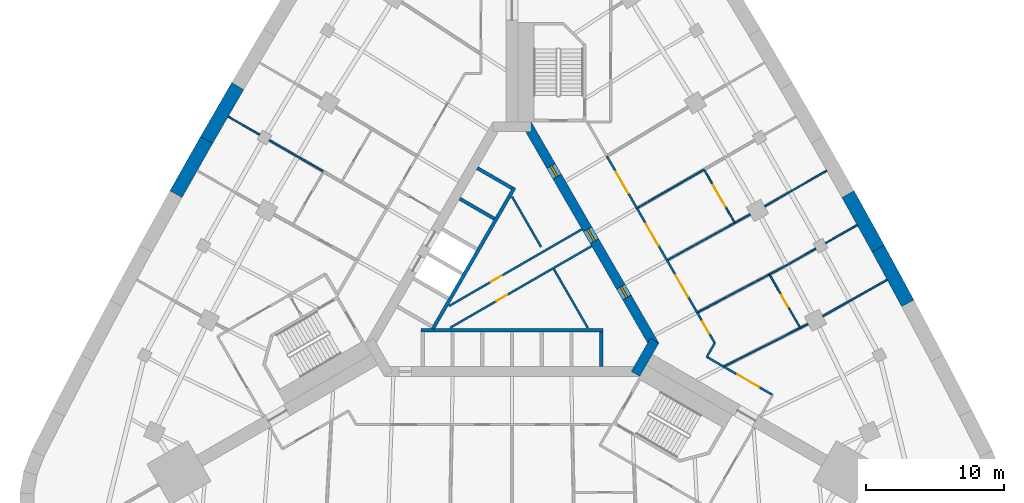
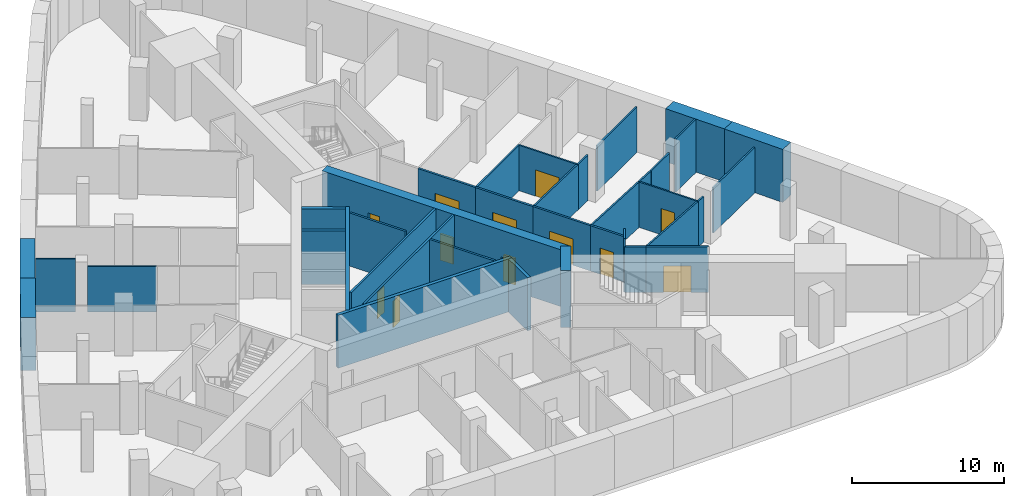
# One storey, part 6 of 9: 37 walls, 12 doors, 12 openings.
"""IFC4 building model written with IfcOpenShell, lengths in metres."""

from ifc_helpers import new_model, si_unit, direction, frame, frame_2d, origin, place, context, subcontext, project, spatial, polyline, rectangle, outline, extrude, material, layer, layer_set, type_object, element, fill, save


model = new_model("IFC4")

# Units and contexts
model_context = context("Model", 3, precision=1e-05, world=origin(), true_north=direction((0.0, 1.0)))
body_context = subcontext(model_context, "Body", "Model", "MODEL_VIEW")
ifc_project = project(units=[si_unit("LENGTHUNIT", "METRE"), si_unit("AREAUNIT", "SQUARE_METRE"), si_unit("VOLUMEUNIT", "CUBIC_METRE"), si_unit("PLANEANGLEUNIT", "RADIAN"), si_unit("MASSUNIT", "GRAM", prefix="KILO")], contexts=[model_context])

# Site, building, storey
site_placement = place(None, origin())
site = spatial("IfcSite", under=ifc_project, at=site_placement, CompositionType="ELEMENT")
building_placement = place(site_placement, origin())
building = spatial("IfcBuilding", under=site, at=building_placement, Name="Noor Cloister Tower", CompositionType="ELEMENT")
storey_placement = place(building_placement, frame((0.0, 0.0, -4.5)))
storey = spatial("IfcBuildingStorey", under=building, at=storey_placement, Name="B1", CompositionType="ELEMENT", Elevation=-4.5)

# Wall, opening, door
ifc_material_1 = material(Name="Concrete C30/37", Category="concrete")
ifc_layer_1 = layer(ifc_material_1, 0.14990234375)
ifc_layer_set_1 = layer_set([ifc_layer_1], Name="Core partition 150 C30/37")
wall_type_1 = type_object("IfcWallType", Name="Core partition 150 C30/37", PredefinedType="PARTITIONING", material=ifc_layer_set_1)
wall_1_placement = place(storey_placement, frame((-4.547607421875, -1.8505859375, 0.0), z_axis=(0.0, 0.0, 1.0), x_axis=(0.866023939251, 0.500002536638, 0.0)))
wall_1 = element("IfcWall", 1, at=wall_1_placement, inside=storey, type_object=wall_type_1, Name="Core room partition B1 1", PredefinedType="PARTITIONING", context=body_context, shape_type="SweptSolid", body=[
    extrude(rectangle(XDim=11.091796875, YDim=0.14990234375, at=frame_2d((5.5458984375, 0.0))), origin(), (0.0, 0.0, 1.0), 4.25),
])
opening_1_placement = place(wall_1_placement, frame((3.4970703125, 0.0, 0.0)))
opening_1 = element("IfcOpeningElement", 2, at=opening_1_placement, cuts=wall_1, Name="Opening B1-906", PredefinedType="OPENING", context=body_context, shape_type="SweptSolid", body=[
    extrude(rectangle(XDim=0.89990234375, YDim=2.10009765625, at=frame_2d((0.449951171875, 1.050048828125))), frame((0.0, 0.0849609375, 0.0), z_axis=(0.0, -1.0, 0.0), x_axis=(1.0, 0.0, 0.0)), (0.0, 0.0, 1.0), 0.169921875),
])
ifc_material_2 = material(Name="Steel", Category="steel")
door_type_1 = type_object("IfcDoorType", Name="Core door 900 x 2100 FD60", OperationType="SINGLE_SWING_LEFT", PredefinedType="DOOR", material=ifc_material_2)
door_1_placement = place(opening_1_placement, origin())
door_1 = element("IfcDoor", 3, at=door_1_placement, inside=storey, type_object=door_type_1, Name="Core door 6 B1", OperationType="SINGLE_SWING_RIGHT", OverallHeight=2.10009765625, OverallWidth=0.89990234375, PredefinedType="DOOR", context=body_context, shape_type="SweptSolid", body=[
    extrude(rectangle(XDim=0.89990234375, YDim=2.10009765625, at=frame_2d((0.449951171875, 1.050048828125))), frame((0.0, 0.02490234375, 0.0), z_axis=(0.0, -1.0, 0.0), x_axis=(1.0, 0.0, 0.0)), (0.0, 0.0, 1.0), 0.050048828125),
])
fill(opening_1, door_1)

# Wall
wall_2_placement = place(storey_placement, frame((2.099365234375, 2.420166015625, 0.0), z_axis=(0.0, 0.0, 1.0), x_axis=(-0.499998449073, 0.866026299211, 0.0)))
element("IfcWall", 4, at=wall_2_placement, inside=storey, type_object=wall_type_1, Name="Core room partition B1 2", PredefinedType="PARTITIONING", context=body_context, shape_type="SweptSolid", body=[
    extrude(rectangle(XDim=4.21142578125, YDim=0.14990234375, at=frame_2d((2.105712890625, 0.0))), origin(), (0.0, 0.0, 1.0), 4.25),
])

# Wall, opening, door
wall_3_placement = place(storey_placement, frame((-4.454345703125, -3.4130859375, 0.0), z_axis=(0.0, 0.0, 1.0), x_axis=(0.86603043987, 0.499991277142, 0.0)))
wall_3 = element("IfcWall", 5, at=wall_3_placement, inside=storey, type_object=wall_type_1, Name="Core room partition B1 3", PredefinedType="PARTITIONING", context=body_context, shape_type="SweptSolid", body=[
    extrude(rectangle(XDim=11.792236328125, YDim=0.14990234375, at=frame_2d((5.89599609375, 0.0))), origin(), (0.0, 0.0, 1.0), 4.25),
])
opening_2_placement = place(wall_3_placement, frame((3.84716796875, 0.0, 0.0)))
opening_2 = element("IfcOpeningElement", 6, at=opening_2_placement, cuts=wall_3, Name="Opening B1-904", PredefinedType="OPENING", context=body_context, shape_type="SweptSolid", body=[
    extrude(rectangle(XDim=0.89990234375, YDim=2.10009765625, at=frame_2d((0.449951171875, 1.050048828125))), frame((0.0, 0.0849609375, 0.0), z_axis=(0.0, -1.0, 0.0), x_axis=(1.0, 0.0, 0.0)), (0.0, 0.0, 1.0), 0.169921875),
])
ifc_material_3 = material(Name="Steel", Category="steel")
door_type_2 = type_object("IfcDoorType", Name="Core door 900 x 2100 FD120", OperationType="SINGLE_SWING_LEFT", PredefinedType="DOOR", material=ifc_material_3)
door_2_placement = place(opening_2_placement, origin())
door_2 = element("IfcDoor", 7, at=door_2_placement, inside=storey, type_object=door_type_2, Name="Core door 4 B1", OperationType="SINGLE_SWING_RIGHT", OverallHeight=2.10009765625, OverallWidth=0.89990234375, PredefinedType="DOOR", context=body_context, shape_type="SweptSolid", body=[
    extrude(rectangle(XDim=0.89990234375, YDim=2.10009765625, at=frame_2d((0.449951171875, 1.050048828125))), frame((0.0, 0.02490234375, 0.0), z_axis=(0.0, -1.0, 0.0), x_axis=(1.0, 0.0, 0.0)), (0.0, 0.0, 1.0), 0.050048828125),
])
fill(opening_2, door_2)

# Walls
wall_4_placement = place(storey_placement, frame((5.482421875, -3.439208984375, 0.0), z_axis=(0.0, 0.0, 1.0), x_axis=(-0.500006183238, 0.866021833861, 0.0)))
element("IfcWall", 8, at=wall_4_placement, inside=storey, type_object=wall_type_1, Name="Core room partition B1 4", PredefinedType="PARTITIONING", context=body_context, shape_type="SweptSolid", body=[
    extrude(rectangle(XDim=4.916015625, YDim=0.14990234375, at=frame_2d((2.4580078125, 0.0))), origin(), (0.0, 0.0, 1.0), 4.25),
])
ifc_material_4 = material(Name="Concrete C80/95", Category="concrete")
ifc_layer_2 = layer(ifc_material_4, 0.699951171875)
ifc_layer_set_2 = layer_set([ifc_layer_2], Name="Core wall 700 C80/95")
wall_type_2 = type_object("IfcWallType", Name="Core wall 700 C80/95", PredefinedType="SHEAR", material=ifc_layer_set_2)
wall_5_placement = place(storey_placement, frame((8.925537109375, -6.753173828125, -0.300048828125), z_axis=(0.0, 0.0, 1.0), x_axis=(0.500042739161, 0.866000726912, 0.0)))
element("IfcWall", 9, at=wall_5_placement, inside=storey, type_object=wall_type_2, Name="Core wall B1 2", PredefinedType="SHEAR", context=body_context, shape_type="SweptSolid", body=[
    extrude(rectangle(XDim=2.771240234375, YDim=0.699951171875, at=frame_2d((1.3857421875, 0.0))), origin(), (0.0, 0.0, 1.0), 4.550048828125),
])

# Wall, openings, doors
wall_6_placement = place(storey_placement, frame((10.311279296875, -4.703125, -0.300048828125), z_axis=(0.0, 0.0, 1.0), x_axis=(-0.500001446645, 0.866024568562, 0.0)))
wall_6 = element("IfcWall", 10, at=wall_6_placement, inside=storey, type_object=wall_type_2, Name="Core wall B1 3", PredefinedType="SHEAR", context=body_context, shape_type="SweptSolid", body=[
    extrude(rectangle(XDim=18.45751953125, YDim=0.699951171875, at=frame_2d((9.228759765625, 0.0))), origin(), (0.0, 0.0, 1.0), 4.550048828125),
])
opening_3_placement = place(wall_6_placement, frame((8.699951171875, 0.0, 0.300048828125)))
opening_3 = element("IfcOpeningElement", 11, at=opening_3_placement, cuts=wall_6, Name="Opening B1-901", PredefinedType="OPENING", context=body_context, shape_type="SweptSolid", body=[
    extrude(rectangle(XDim=1.0, YDim=2.10009765625, at=frame_2d((0.5, 1.050048828125))), frame((0.0, 0.35986328125, 0.0), z_axis=(0.0, -1.0, 0.0), x_axis=(1.0, 0.0, 0.0)), (0.0, 0.0, 1.0), 0.719970703125),
])
opening_4_placement = place(wall_6_placement, frame((4.001953125, 0.0, 0.300048828125)))
opening_4 = element("IfcOpeningElement", 12, at=opening_4_placement, cuts=wall_6, Name="Opening B1-902", PredefinedType="OPENING", context=body_context, shape_type="SweptSolid", body=[
    extrude(rectangle(XDim=0.89990234375, YDim=2.10009765625, at=frame_2d((0.449951171875, 1.050048828125))), frame((0.0, 0.35986328125, 0.0), z_axis=(0.0, -1.0, 0.0), x_axis=(1.0, 0.0, 0.0)), (0.0, 0.0, 1.0), 0.719970703125),
])
opening_5_placement = place(wall_6_placement, frame((14.093017578125, 0.0, 0.300048828125)))
opening_5 = element("IfcOpeningElement", 13, at=opening_5_placement, cuts=wall_6, Name="Opening B1-903", PredefinedType="OPENING", context=body_context, shape_type="SweptSolid", body=[
    extrude(rectangle(XDim=0.89990234375, YDim=2.10009765625, at=frame_2d((0.449951171875, 1.050048828125))), frame((0.0, 0.35986328125, 0.0), z_axis=(0.0, -1.0, 0.0), x_axis=(1.0, 0.0, 0.0)), (0.0, 0.0, 1.0), 0.719970703125),
])
ifc_material_5 = material(Name="Steel", Category="steel")
door_type_3 = type_object("IfcDoorType", Name="Core door 1000 x 2100 FD120", OperationType="SINGLE_SWING_LEFT", PredefinedType="DOOR", material=ifc_material_5)
door_3_placement = place(opening_3_placement, origin())
door_3 = element("IfcDoor", 14, at=door_3_placement, inside=storey, type_object=door_type_3, Name="Core door 1 B1", OperationType="SINGLE_SWING_LEFT", OverallHeight=2.10009765625, OverallWidth=1.0, PredefinedType="DOOR", context=body_context, shape_type="SweptSolid", body=[
    extrude(rectangle(XDim=1.0, YDim=2.10009765625, at=frame_2d((0.5, 1.050048828125))), frame((0.0, 0.074951171875, 0.0), z_axis=(0.0, -1.0, 0.0), x_axis=(1.0, 0.0, 0.0)), (0.0, 0.0, 1.0), 0.14990234375),
])
fill(opening_3, door_3)
door_4_placement = place(opening_4_placement, origin())
door_4 = element("IfcDoor", 15, at=door_4_placement, inside=storey, type_object=door_type_2, Name="Core door 2 B1", OperationType="SINGLE_SWING_RIGHT", OverallHeight=2.10009765625, OverallWidth=0.89990234375, PredefinedType="DOOR", context=body_context, shape_type="SweptSolid", body=[
    extrude(rectangle(XDim=0.89990234375, YDim=2.10009765625, at=frame_2d((0.449951171875, 1.050048828125))), frame((0.0, 0.074951171875, 0.0), z_axis=(0.0, -1.0, 0.0), x_axis=(1.0, 0.0, 0.0)), (0.0, 0.0, 1.0), 0.14990234375),
])
fill(opening_4, door_4)
door_5_placement = place(opening_5_placement, origin())
door_5 = element("IfcDoor", 16, at=door_5_placement, inside=storey, type_object=door_type_2, Name="Core door 3 B1", OperationType="SINGLE_SWING_LEFT", OverallHeight=2.10009765625, OverallWidth=0.89990234375, PredefinedType="DOOR", context=body_context, shape_type="SweptSolid", body=[
    extrude(rectangle(XDim=0.89990234375, YDim=2.10009765625, at=frame_2d((0.449951171875, 1.050048828125))), frame((0.0, 0.074951171875, 0.0), z_axis=(0.0, -1.0, 0.0), x_axis=(1.0, 0.0, 0.0)), (0.0, 0.0, 1.0), 0.14990234375),
])
fill(opening_5, door_5)

# Wall, opening, door
ifc_material_6 = material(Name="Plasterboard on steel studs", Category="steel")
ifc_layer_3 = layer(ifc_material_6, 0.14990234375)
ifc_layer_set_3 = layer_set([ifc_layer_3], Name="Corridor wall 150")
wall_type_3 = type_object("IfcWallType", Name="Corridor wall 150", PredefinedType="PARTITIONING", material=ifc_layer_set_3)
wall_7_placement = place(storey_placement, frame((15.294921875, -6.23193359375, 0.0), z_axis=(0.0, 0.0, 1.0), x_axis=(0.865991915229, -0.500057999394, 0.0)))
wall_7 = element("IfcWall", 17, at=wall_7_placement, inside=storey, type_object=wall_type_3, Name="Partition", PredefinedType="PARTITIONING", context=body_context, shape_type="SweptSolid", body=[
    extrude(rectangle(XDim=4.09375, YDim=0.14990234375, at=frame_2d((2.046875, 0.0))), origin(), (0.0, 0.0, 1.0), 3.637939453125),
])
opening_6_placement = place(wall_7_placement, frame((1.14990234375, 0.0, 0.0)))
opening_6 = element("IfcOpeningElement", 18, at=opening_6_placement, cuts=wall_7, Name="Opening B1-010", PredefinedType="OPENING", context=body_context, shape_type="SweptSolid", body=[
    extrude(rectangle(XDim=1.800048828125, YDim=2.10009765625, at=frame_2d((0.89990234375, 1.050048828125))), frame((0.0, 0.0849609375, 0.0), z_axis=(0.0, -1.0, 0.0), x_axis=(1.0, 0.0, 0.0)), (0.0, 0.0, 1.0), 0.169921875),
])
ifc_material_7 = material(Name="Timber door leaf", Category="wood")
door_type_4 = type_object("IfcDoorType", Name="Double leaf door 1800", OperationType="DOUBLE_DOOR_SINGLE_SWING", PredefinedType="DOOR", material=ifc_material_7)
door_6_placement = place(opening_6_placement, origin())
door_6 = element("IfcDoor", 19, at=door_6_placement, inside=storey, type_object=door_type_4, Name="Door B1-010", OperationType="DOUBLE_DOOR_SINGLE_SWING", OverallHeight=2.10009765625, OverallWidth=1.800048828125, PredefinedType="DOOR", context=body_context, shape_type="SweptSolid", body=[
    extrude(rectangle(XDim=1.800048828125, YDim=2.10009765625, at=frame_2d((0.89990234375, 1.050048828125))), frame((0.0, 0.02490234375, 0.0), z_axis=(0.0, -1.0, 0.0), x_axis=(1.0, 0.0, 0.0)), (0.0, 0.0, 1.0), 0.050048828125),
])
fill(opening_6, door_6)

wall_8_placement = place(storey_placement, frame((13.382080078125, -2.321044921875, 0.0), z_axis=(0.0, 0.0, 1.0), x_axis=(0.500076401611, -0.8659812888, 0.0)))
wall_8 = element("IfcWall", 20, at=wall_8_placement, inside=storey, type_object=wall_type_3, Name="Partition", PredefinedType="PARTITIONING", context=body_context, shape_type="SweptSolid", body=[
    extrude(rectangle(XDim=2.54736328125, YDim=0.14990234375, at=frame_2d((1.273681640625, 0.0))), origin(), (0.0, 0.0, 1.0), 3.637939453125),
])
opening_7_placement = place(wall_8_placement, frame((0.75, 0.0, 0.0)))
opening_7 = element("IfcOpeningElement", 21, at=opening_7_placement, cuts=wall_8, Name="Opening B1-012", PredefinedType="OPENING", context=body_context, shape_type="SweptSolid", body=[
    extrude(rectangle(XDim=1.0, YDim=2.10009765625, at=frame_2d((0.5, 1.050048828125))), frame((0.0, 0.0849609375, 0.0), z_axis=(0.0, -1.0, 0.0), x_axis=(1.0, 0.0, 0.0)), (0.0, 0.0, 1.0), 0.169921875),
])
ifc_material_8 = material(Name="Timber door leaf", Category="wood")
door_type_5 = type_object("IfcDoorType", Name="Clinic room door 1000", OperationType="SINGLE_SWING_LEFT", PredefinedType="DOOR", material=ifc_material_8)
door_7_placement = place(opening_7_placement, origin())
door_7 = element("IfcDoor", 22, at=door_7_placement, inside=storey, type_object=door_type_5, Name="Door B1-012", OperationType="SINGLE_SWING_LEFT", OverallHeight=2.10009765625, OverallWidth=1.0, PredefinedType="DOOR", context=body_context, shape_type="SweptSolid", body=[
    extrude(rectangle(XDim=1.0, YDim=2.10009765625, at=frame_2d((0.5, 1.050048828125))), frame((0.0, 0.02490234375, 0.0), z_axis=(0.0, -1.0, 0.0), x_axis=(1.0, 0.0, 0.0)), (0.0, 0.0, 1.0), 0.050048828125),
])
fill(opening_7, door_7)

# Walls
wall_9_placement = place(storey_placement, frame((14.656005859375, -4.529052734375, 0.0), z_axis=(0.0, 0.0, 1.0), x_axis=(-0.500502949238, -0.865734831114, 0.0)))
element("IfcWall", 23, at=wall_9_placement, inside=storey, type_object=wall_type_3, Name="Partition", PredefinedType="PARTITIONING", context=body_context, shape_type="SweptSolid", body=[
    extrude(rectangle(XDim=1.155029296875, YDim=0.14990234375, at=frame_2d((0.57763671875, 0.0))), origin(), (0.0, 0.0, 1.0), 4.25),
])
wall_10_placement = place(storey_placement, frame((14.077880859375, -5.529052734375, 0.0), z_axis=(0.0, 0.0, 1.0), x_axis=(0.865984561414, -0.500070734389, 0.0)))
element("IfcWall", 24, at=wall_10_placement, inside=storey, type_object=wall_type_3, Name="Partition", PredefinedType="PARTITIONING", context=body_context, shape_type="SweptSolid", body=[
    extrude(rectangle(XDim=1.415771484375, YDim=0.14990234375, at=frame_2d((0.7080078125, 0.0))), origin(), (0.0, 0.0, 1.0), 3.637939453125),
])

# Wall, opening, door
wall_11_placement = place(storey_placement, frame((11.205078125, 1.449951171875, 0.0), z_axis=(0.0, 0.0, 1.0), x_axis=(0.500058412813, -0.865991676505, 0.0)))
wall_11 = element("IfcWall", 25, at=wall_11_placement, inside=storey, type_object=wall_type_3, Name="Partition", PredefinedType="PARTITIONING", context=body_context, shape_type="SweptSolid", body=[
    extrude(rectangle(XDim=4.361328125, YDim=0.14990234375, at=frame_2d((2.1806640625, 0.0))), origin(), (0.0, 0.0, 1.0), 3.637939453125),
])
opening_8_placement = place(wall_11_placement, frame((1.25, 0.0, 0.0)))
opening_8 = element("IfcOpeningElement", 26, at=opening_8_placement, cuts=wall_11, Name="Opening B1-015", PredefinedType="OPENING", context=body_context, shape_type="SweptSolid", body=[
    extrude(rectangle(XDim=1.800048828125, YDim=2.10009765625, at=frame_2d((0.89990234375, 1.050048828125))), frame((0.0, 0.0849609375, 0.0), z_axis=(0.0, -1.0, 0.0), x_axis=(1.0, 0.0, 0.0)), (0.0, 0.0, 1.0), 0.169921875),
])
door_8_placement = place(opening_8_placement, origin())
door_8 = element("IfcDoor", 27, at=door_8_placement, inside=storey, type_object=door_type_4, Name="Door B1-015", OperationType="DOUBLE_DOOR_SINGLE_SWING", OverallHeight=2.10009765625, OverallWidth=1.800048828125, PredefinedType="DOOR", context=body_context, shape_type="SweptSolid", body=[
    extrude(rectangle(XDim=1.800048828125, YDim=2.10009765625, at=frame_2d((0.89990234375, 1.050048828125))), frame((0.0, 0.02490234375, 0.0), z_axis=(0.0, -1.0, 0.0), x_axis=(1.0, 0.0, 0.0)), (0.0, 0.0, 1.0), 0.050048828125),
])
fill(opening_8, door_8)

wall_12_placement = place(storey_placement, frame((11.2060546875, 1.446044921875, 0.0), z_axis=(0.0, 0.0, 1.0), x_axis=(-0.500044734646, 0.865999574684, 0.0)))
wall_12 = element("IfcWall", 28, at=wall_12_placement, inside=storey, type_object=wall_type_3, Name="Partition", PredefinedType="PARTITIONING", context=body_context, shape_type="SweptSolid", body=[
    extrude(rectangle(XDim=4.349609375, YDim=0.14990234375, at=frame_2d((2.1748046875, 0.0))), origin(), (0.0, 0.0, 1.0), 3.637939453125),
])
opening_9_placement = place(wall_12_placement, frame((1.25, 0.0, 0.0)))
opening_9 = element("IfcOpeningElement", 29, at=opening_9_placement, cuts=wall_12, Name="Opening B1-017", PredefinedType="OPENING", context=body_context, shape_type="SweptSolid", body=[
    extrude(rectangle(XDim=1.800048828125, YDim=2.10009765625, at=frame_2d((0.89990234375, 1.050048828125))), frame((0.0, 0.0849609375, 0.0), z_axis=(0.0, -1.0, 0.0), x_axis=(1.0, 0.0, 0.0)), (0.0, 0.0, 1.0), 0.169921875),
])
door_9_placement = place(opening_9_placement, origin())
door_9 = element("IfcDoor", 30, at=door_9_placement, inside=storey, type_object=door_type_4, Name="Door B1-017", OperationType="DOUBLE_DOOR_SINGLE_SWING", OverallHeight=2.10009765625, OverallWidth=1.800048828125, PredefinedType="DOOR", context=body_context, shape_type="SweptSolid", body=[
    extrude(rectangle(XDim=1.800048828125, YDim=2.10009765625, at=frame_2d((0.89990234375, 1.050048828125))), frame((0.0, 0.02490234375, 0.0), z_axis=(0.0, -1.0, 0.0), x_axis=(1.0, 0.0, 0.0)), (0.0, 0.0, 1.0), 0.050048828125),
])
fill(opening_9, door_9)

wall_13_placement = place(storey_placement, frame((9.030029296875, 5.214111328125, 0.0), z_axis=(0.0, 0.0, 1.0), x_axis=(-0.499876332206, 0.866096791646, 0.0)))
wall_13 = element("IfcWall", 31, at=wall_13_placement, inside=storey, type_object=wall_type_3, Name="Partition", PredefinedType="PARTITIONING", context=body_context, shape_type="SweptSolid", body=[
    extrude(rectangle(XDim=4.34912109375, YDim=0.14990234375, at=frame_2d((2.174560546875, 0.0))), origin(), (0.0, 0.0, 1.0), 3.637939453125),
])
opening_10_placement = place(wall_13_placement, frame((1.25, 0.0, 0.0)))
opening_10 = element("IfcOpeningElement", 32, at=opening_10_placement, cuts=wall_13, Name="Opening B1-021", PredefinedType="OPENING", context=body_context, shape_type="SweptSolid", body=[
    extrude(rectangle(XDim=1.800048828125, YDim=2.10009765625, at=frame_2d((0.89990234375, 1.050048828125))), frame((0.0, 0.0849609375, 0.0), z_axis=(0.0, -1.0, 0.0), x_axis=(1.0, 0.0, 0.0)), (0.0, 0.0, 1.0), 0.169921875),
])
door_10_placement = place(opening_10_placement, origin())
door_10 = element("IfcDoor", 33, at=door_10_placement, inside=storey, type_object=door_type_4, Name="Door B1-021", OperationType="DOUBLE_DOOR_SINGLE_SWING", OverallHeight=2.10009765625, OverallWidth=1.800048828125, PredefinedType="DOOR", context=body_context, shape_type="SweptSolid", body=[
    extrude(rectangle(XDim=1.800048828125, YDim=2.10009765625, at=frame_2d((0.89990234375, 1.050048828125))), frame((0.0, 0.02490234375, 0.0), z_axis=(0.0, -1.0, 0.0), x_axis=(1.0, 0.0, 0.0)), (0.0, 0.0, 1.0), 0.050048828125),
])
fill(opening_10, door_10)

# Walls
ifc_material_9 = material(Name="Concrete C50/60", Category="concrete")
ifc_layer_4 = layer(ifc_material_9, 1.0)
ifc_layer_set_4 = layer_set([ifc_layer_4], Name="Diaphragm wall 1000")
wall_type_4 = type_object("IfcWallType", Name="Diaphragm wall 1000", PredefinedType="SOLIDWALL", material=ifc_layer_set_4)
wall_14_placement = place(storey_placement, origin())
element("IfcWall", 34, at=wall_14_placement, inside=storey, type_object=wall_type_4, Name="Basement wall 17", PredefinedType="SOLIDWALL", context=body_context, shape_type="SweptSolid", body=[
    extrude(outline(polyline([(-20.25634765625, 14.29296875), (-22.50634765625, 10.39599609375), (-21.637939453125, 9.89990234375), (-19.392578125, 13.7890625), (-20.25634765625, 14.29296875)])), origin(), (0.0, 0.0, 1.0), 4.25),
])
wall_15_placement = place(storey_placement, origin())
element("IfcWall", 35, at=wall_15_placement, inside=storey, type_object=wall_type_4, Name="Basement wall 18", PredefinedType="SOLIDWALL", context=body_context, shape_type="SweptSolid", body=[
    extrude(outline(polyline([(-22.50634765625, 10.39599609375), (-24.72119140625, 6.478759765625), (-23.848388671875, 5.990478515625), (-21.637939453125, 9.89990234375), (-22.50634765625, 10.39599609375)])), origin(), (0.0, 0.0, 1.0), 4.25),
])
wall_16_placement = place(storey_placement, origin())
element("IfcWall", 36, at=wall_16_placement, inside=storey, type_object=wall_type_4, Name="Basement wall 60", PredefinedType="SOLIDWALL", context=body_context, shape_type="SweptSolid", body=[
    extrude(outline(polyline([(29.044921875, -1.41455078125), (26.900634765625, 2.541748046875), (26.023681640625, 2.0615234375), (28.16357421875, -1.886962890625), (29.044921875, -1.41455078125)])), origin(), (0.0, 0.0, 1.0), 4.25),
])
wall_17_placement = place(storey_placement, origin())
element("IfcWall", 37, at=wall_17_placement, inside=storey, type_object=wall_type_4, Name="Basement wall 61", PredefinedType="SOLIDWALL", context=body_context, shape_type="SweptSolid", body=[
    extrude(outline(polyline([(26.900634765625, 2.541748046875), (24.72119140625, 6.478759765625), (23.848388671875, 5.990478515625), (26.023681640625, 2.0615234375), (26.900634765625, 2.541748046875)])), origin(), (0.0, 0.0, 1.0), 4.25),
])
ifc_material_10 = material(Name="Plasterboard on steel studs", Category="steel")
ifc_layer_5 = layer(ifc_material_10, 0.1201171875)
ifc_layer_set_5 = layer_set([ifc_layer_5], Name="Partition wall 120")
wall_type_5 = type_object("IfcWallType", Name="Partition wall 120", PredefinedType="PARTITIONING", material=ifc_layer_set_5)
wall_18_placement = place(storey_placement, frame((20.8359375, -3.43603515625, 0.0), z_axis=(0.0, 0.0, 1.0), x_axis=(-0.89244304116, -0.451160080554, 0.0)))
element("IfcWall", 38, at=wall_18_placement, inside=storey, type_object=wall_type_5, Name="Partition", PredefinedType="PARTITIONING", context=body_context, shape_type="SweptSolid", body=[
    extrude(rectangle(XDim=6.2041015625, YDim=0.1201171875, at=frame_2d((3.10205078125, 0.0))), origin(), (0.0, 0.0, 1.0), 3.637939453125),
])
wall_19_placement = place(storey_placement, frame((21.40087890625, -3.15087890625, 0.0), z_axis=(0.0, 0.0, 1.0), x_axis=(-0.892323275748, -0.45139691133, 0.0)))
element("IfcWall", 39, at=wall_19_placement, inside=storey, type_object=wall_type_5, Name="Partition", PredefinedType="PARTITIONING", context=body_context, shape_type="SweptSolid", body=[
    extrude(rectangle(XDim=0.629638671875, YDim=0.1201171875, at=frame_2d((0.31494140625, 0.0))), origin(), (0.0, 0.0, 1.0), 3.637939453125),
])
wall_20_placement = place(storey_placement, frame((27.115966796875, 0.047119140625, 0.0), z_axis=(0.0, 0.0, 1.0), x_axis=(-0.87056283872, -0.492057256668, 0.0)))
element("IfcWall", 40, at=wall_20_placement, inside=storey, type_object=wall_type_5, Name="Partition", PredefinedType="PARTITIONING", context=body_context, shape_type="SweptSolid", body=[
    extrude(rectangle(XDim=5.34716796875, YDim=0.1201171875, at=frame_2d((2.673583984375, 0.0))), origin(), (0.0, 0.0, 1.0), 3.633056640625),
])

# Wall, opening, door
wall_21_placement = place(storey_placement, frame((20.837890625, -3.43505859375, 0.0), z_axis=(0.0, 0.0, 1.0), x_axis=(-0.499911633214, 0.866076416361, 0.0)))
wall_21 = element("IfcWall", 41, at=wall_21_placement, inside=storey, type_object=wall_type_5, Name="Partition", PredefinedType="PARTITIONING", context=body_context, shape_type="SweptSolid", body=[
    extrude(rectangle(XDim=4.468505859375, YDim=0.1201171875, at=frame_2d((2.234375, 0.0))), origin(), (0.0, 0.0, 1.0), 3.637939453125),
])
opening_11_placement = place(wall_21_placement, frame((1.75, 0.0, 0.0)))
opening_11 = element("IfcOpeningElement", 42, at=opening_11_placement, cuts=wall_21, Name="Opening B1-013", PredefinedType="OPENING", context=body_context, shape_type="SweptSolid", body=[
    extrude(rectangle(XDim=1.0, YDim=2.10009765625, at=frame_2d((0.5, 1.050048828125))), frame((0.0, 0.070068359375, 0.0), z_axis=(0.0, -1.0, 0.0), x_axis=(1.0, 0.0, 0.0)), (0.0, 0.0, 1.0), 0.14013671875),
])
door_11_placement = place(opening_11_placement, origin())
door_11 = element("IfcDoor", 43, at=door_11_placement, inside=storey, type_object=door_type_5, Name="Door B1-013", OperationType="SINGLE_SWING_LEFT", OverallHeight=2.10009765625, OverallWidth=1.0, PredefinedType="DOOR", context=body_context, shape_type="SweptSolid", body=[
    extrude(rectangle(XDim=1.0, YDim=2.10009765625, at=frame_2d((0.5, 1.050048828125))), frame((0.0, 0.02490234375, 0.0), z_axis=(0.0, -1.0, 0.0), x_axis=(1.0, 0.0, 0.0)), (0.0, 0.0, 1.0), 0.050048828125),
])
fill(opening_11, door_11)

# Walls
wall_22_placement = place(storey_placement, frame((18.60595703125, 0.43701171875, 0.0), z_axis=(0.0, 0.0, 1.0), x_axis=(-0.884037119688, -0.467416699544, 0.0)))
element("IfcWall", 44, at=wall_22_placement, inside=storey, type_object=wall_type_5, Name="Partition", PredefinedType="PARTITIONING", context=body_context, shape_type="SweptSolid", body=[
    extrude(rectangle(XDim=5.906982421875, YDim=0.1201171875, at=frame_2d((2.95361328125, 0.0))), origin(), (0.0, 0.0, 1.0), 3.637939453125),
])
wall_23_placement = place(storey_placement, frame((21.958984375, 2.294921875, 0.0), z_axis=(0.0, 0.0, 1.0), x_axis=(-0.868831589773, -0.49510773435, 0.0)))
element("IfcWall", 45, at=wall_23_placement, inside=storey, type_object=wall_type_5, Name="Partition", PredefinedType="PARTITIONING", context=body_context, shape_type="SweptSolid", body=[
    extrude(rectangle(XDim=2.3974609375, YDim=0.1201171875, at=frame_2d((1.19873046875, 0.0))), origin(), (0.0, 0.0, 1.0), 3.637939453125),
])
wall_24_placement = place(storey_placement, frame((19.875, 1.10791015625, 0.0), z_axis=(0.0, 0.0, 1.0), x_axis=(-0.884108929341, -0.467280858863, 0.0)))
element("IfcWall", 46, at=wall_24_placement, inside=storey, type_object=wall_type_5, Name="Partition", PredefinedType="PARTITIONING", context=body_context, shape_type="SweptSolid", body=[
    extrude(rectangle(XDim=1.442138671875, YDim=0.1201171875, at=frame_2d((0.72119140625, 0.0))), origin(), (0.0, 0.0, 1.0), 3.637939453125),
])
wall_25_placement = place(storey_placement, frame((24.950927734375, 3.9990234375, 0.0), z_axis=(0.0, 0.0, 1.0), x_axis=(-0.868958412069, -0.494885116057, 0.0)))
element("IfcWall", 47, at=wall_25_placement, inside=storey, type_object=wall_type_5, Name="Partition", PredefinedType="PARTITIONING", context=body_context, shape_type="SweptSolid", body=[
    extrude(rectangle(XDim=2.643310546875, YDim=0.1201171875, at=frame_2d((1.32177734375, 0.0))), origin(), (0.0, 0.0, 1.0), 4.25),
])
wall_26_placement = place(storey_placement, frame((16.10791015625, 4.155029296875, 0.0), z_axis=(0.0, 0.0, 1.0), x_axis=(-0.87515505143, -0.483842573526, 0.0)))
element("IfcWall", 48, at=wall_26_placement, inside=storey, type_object=wall_type_5, Name="Partition", PredefinedType="PARTITIONING", context=body_context, shape_type="SweptSolid", body=[
    extrude(rectangle(XDim=5.598876953125, YDim=0.1201171875, at=frame_2d((2.79931640625, 0.0))), origin(), (0.0, 0.0, 1.0), 3.637939453125),
])
wall_27_placement = place(storey_placement, frame((17.214111328125, 4.76708984375, 0.0), z_axis=(0.0, 0.0, 1.0), x_axis=(-0.875140294724, -0.483869263904, 0.0)))
element("IfcWall", 49, at=wall_27_placement, inside=storey, type_object=wall_type_5, Name="Partition", PredefinedType="PARTITIONING", context=body_context, shape_type="SweptSolid", body=[
    extrude(rectangle(XDim=1.262939453125, YDim=0.1201171875, at=frame_2d((0.63134765625, 0.0))), origin(), (0.0, 0.0, 1.0), 3.637939453125),
])
wall_28_placement = place(storey_placement, frame((22.7509765625, 7.931884765625, 0.0), z_axis=(0.0, 0.0, 1.0), x_axis=(-0.867438170848, -0.497544992695, 0.0)))
element("IfcWall", 50, at=wall_28_placement, inside=storey, type_object=wall_type_5, Name="Partition", PredefinedType="PARTITIONING", context=body_context, shape_type="SweptSolid", body=[
    extrude(rectangle(XDim=5.17724609375, YDim=0.1201171875, at=frame_2d((2.588623046875, 0.0))), origin(), (0.0, 0.0, 1.0), 3.633056640625),
])

# Wall, opening, door
wall_29_placement = place(storey_placement, frame((16.10693359375, 4.156005859375, 0.0), z_axis=(0.0, 0.0, 1.0), x_axis=(-0.499836357881, 0.866119861994, 0.0)))
wall_29 = element("IfcWall", 51, at=wall_29_placement, inside=storey, type_object=wall_type_5, Name="Partition", PredefinedType="PARTITIONING", context=body_context, shape_type="SweptSolid", body=[
    extrude(rectangle(XDim=4.453125, YDim=0.1201171875, at=frame_2d((2.2265625, 0.0))), origin(), (0.0, 0.0, 1.0), 3.637939453125),
])
opening_12_placement = place(wall_29_placement, frame((1.35009765625, 0.0, 0.0)))
opening_12 = element("IfcOpeningElement", 52, at=opening_12_placement, cuts=wall_29, Name="Opening B1-020", PredefinedType="OPENING", context=body_context, shape_type="SweptSolid", body=[
    extrude(rectangle(XDim=1.800048828125, YDim=2.10009765625, at=frame_2d((0.89990234375, 1.050048828125))), frame((0.0, 0.070068359375, 0.0), z_axis=(0.0, -1.0, 0.0), x_axis=(1.0, 0.0, 0.0)), (0.0, 0.0, 1.0), 0.14013671875),
])
door_12_placement = place(opening_12_placement, origin())
door_12 = element("IfcDoor", 53, at=door_12_placement, inside=storey, type_object=door_type_4, Name="Door B1-020", OperationType="DOUBLE_DOOR_SINGLE_SWING", OverallHeight=2.10009765625, OverallWidth=1.800048828125, PredefinedType="DOOR", context=body_context, shape_type="SweptSolid", body=[
    extrude(rectangle(XDim=1.800048828125, YDim=2.10009765625, at=frame_2d((0.89990234375, 1.050048828125))), frame((0.0, 0.02490234375, 0.0), z_axis=(0.0, -1.0, 0.0), x_axis=(1.0, 0.0, 0.0)), (0.0, 0.0, 1.0), 0.050048828125),
])
fill(opening_12, door_12)

# Walls
wall_30_placement = place(storey_placement, frame((13.885009765625, 8.01611328125, 0.0), z_axis=(0.0, 0.0, 1.0), x_axis=(-0.866017266313, -0.500014094249, 0.0)))
element("IfcWall", 54, at=wall_30_placement, inside=storey, type_object=wall_type_5, Name="Partition", PredefinedType="PARTITIONING", context=body_context, shape_type="SweptSolid", body=[
    extrude(rectangle(XDim=5.603759765625, YDim=0.1201171875, at=frame_2d((2.8017578125, 0.0))), origin(), (0.0, 0.0, 1.0), 3.637939453125),
])
wall_31_placement = place(storey_placement, frame((-18.237060546875, 10.528076171875, 0.0), z_axis=(0.0, 0.0, 1.0), x_axis=(-0.865891873066, 0.5002312107, 0.0)))
element("IfcWall", 55, at=wall_31_placement, inside=storey, type_object=wall_type_5, Name="Partition", PredefinedType="PARTITIONING", context=body_context, shape_type="SweptSolid", body=[
    extrude(rectangle(XDim=2.630615234375, YDim=0.1201171875, at=frame_2d((1.3154296875, 0.0))), origin(), (0.0, 0.0, 1.0), 4.25),
])
wall_32_placement = place(storey_placement, frame((-13.616943359375, 7.862060546875, 0.0), z_axis=(0.0, 0.0, 1.0), x_axis=(-0.866103979259, 0.499863878583, 0.0)))
element("IfcWall", 56, at=wall_32_placement, inside=storey, type_object=wall_type_5, Name="Partition", PredefinedType="PARTITIONING", context=body_context, shape_type="SweptSolid", body=[
    extrude(rectangle(XDim=4.532958984375, YDim=0.1201171875, at=frame_2d((2.2666015625, 0.0))), origin(), (0.0, 0.0, 1.0), 3.637939453125),
])
ifc_material_11 = material(Name="Concrete C80/95", Category="concrete")
ifc_layer_6 = layer(ifc_material_11, 0.25)
ifc_layer_set_6 = layer_set([ifc_layer_6], Name="Shaft wall 250 C80/95")
wall_type_6 = type_object("IfcWallType", Name="Shaft wall 250 C80/95", PredefinedType="PARTITIONING", material=ifc_layer_set_6)
wall_33_placement = place(storey_placement, frame((6.449951171875, -6.228271484375, 0.0), z_axis=(0.0, 0.0, 1.0), x_axis=(0.0, 1.0, 0.0)))
element("IfcWall", 57, at=wall_33_placement, inside=storey, type_object=wall_type_6, Name="Lift shaft wall B1 S 7", PredefinedType="PARTITIONING", context=body_context, shape_type="SweptSolid", body=[
    extrude(rectangle(XDim=2.5, YDim=0.25, at=frame_2d((1.25, 0.0))), origin(), (0.0, 0.0, 1.0), 4.25),
])
wall_34_placement = place(storey_placement, frame((-6.574951171875, -3.603271484375, 0.0), z_axis=(0.0, 0.0, 1.0), x_axis=(1.0, 0.0, 0.0)))
element("IfcWall", 58, at=wall_34_placement, inside=storey, type_object=wall_type_6, Name="Lift shaft back wall B1 S", PredefinedType="PARTITIONING", context=body_context, shape_type="SweptSolid", body=[
    extrude(rectangle(XDim=13.14990234375, YDim=0.25, at=frame_2d((6.574951171875, 0.0))), origin(), (0.0, 0.0, 1.0), 4.25),
])
wall_35_placement = place(storey_placement, frame((-2.50634765625, 8.115478515625, 0.0), z_axis=(0.0, 0.0, 1.0), x_axis=(0.865996321171, -0.50005036918, 0.0)))
element("IfcWall", 59, at=wall_35_placement, inside=storey, type_object=wall_type_6, Name="Lift shaft wall B1 NW 1", PredefinedType="PARTITIONING", context=body_context, shape_type="SweptSolid", body=[
    extrude(rectangle(XDim=2.900146484375, YDim=0.25, at=frame_2d((1.4501953125, 0.0))), origin(), (0.0, 0.0, 1.0), 4.25),
])
wall_36_placement = place(storey_placement, frame((-3.78125, 5.906982421875, 0.0), z_axis=(0.0, 0.0, 1.0), x_axis=(0.866032775405, -0.499987231761, 0.0)))
element("IfcWall", 60, at=wall_36_placement, inside=storey, type_object=wall_type_6, Name="Lift shaft wall B1 NW 2", PredefinedType="PARTITIONING", context=body_context, shape_type="SweptSolid", body=[
    extrude(rectangle(XDim=2.89990234375, YDim=0.25, at=frame_2d((1.449951171875, 0.0))), origin(), (0.0, 0.0, 1.0), 4.25),
])
wall_37_placement = place(storey_placement, frame((0.176025390625, 6.711181640625, 0.0), z_axis=(0.0, 0.0, 1.0), x_axis=(-0.500004227369, -0.866022963098, 0.0)))
element("IfcWall", 61, at=wall_37_placement, inside=storey, type_object=wall_type_6, Name="Lift shaft back wall B1 NW", PredefinedType="PARTITIONING", context=body_context, shape_type="SweptSolid", body=[
    extrude(rectangle(XDim=11.80029296875, YDim=0.25, at=frame_2d((5.900146484375, 0.0))), origin(), (0.0, 0.0, 1.0), 4.25),
])

save(model, "model.ifc")
